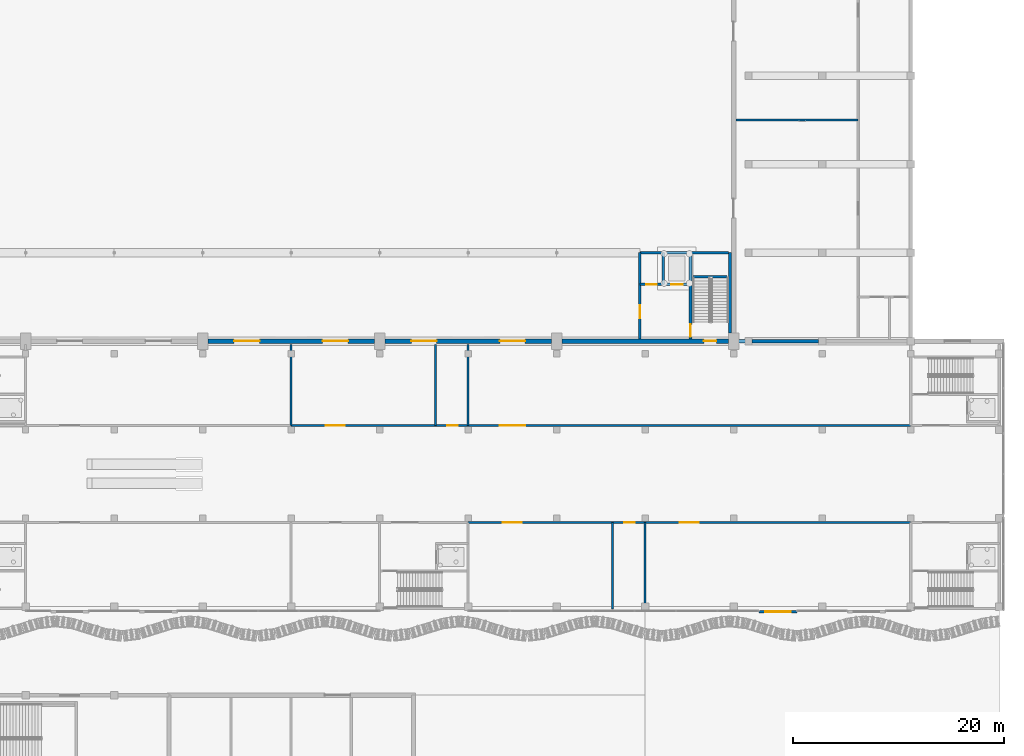
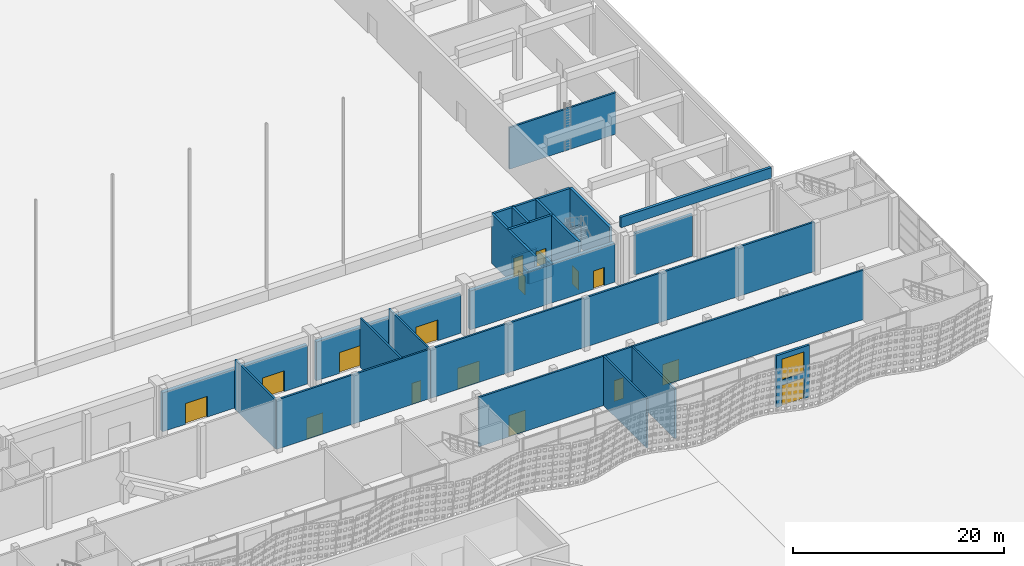
# One storey, part 113 of 210: 27 walls, 16 doors, 1 window, 17 openings.
"""IFC4 building model written with IfcOpenShell, lengths in metres."""

from ifc_helpers import new_model, si_unit, direction, frame, frame_2d, origin, place, context, subcontext, project, spatial, rectangle, extrude, material, layer, layer_set, type_object, element, fill, save


model = new_model("IFC4")

# Units and contexts
model_context = context("Model", 3, precision=1e-05, world=origin(), true_north=direction((0.0, 1.0)))
body_context = subcontext(model_context, "Body", "Model", "MODEL_VIEW")
ifc_project = project(units=[si_unit("LENGTHUNIT", "METRE"), si_unit("AREAUNIT", "SQUARE_METRE"), si_unit("VOLUMEUNIT", "CUBIC_METRE"), si_unit("PLANEANGLEUNIT", "RADIAN"), si_unit("MASSUNIT", "GRAM", prefix="KILO")], contexts=[model_context])

# Site, building, storey
site_placement = place(None, origin())
site = spatial("IfcSite", under=ifc_project, at=site_placement, CompositionType="ELEMENT")
building_placement = place(site_placement, origin())
building = spatial("IfcBuilding", under=site, at=building_placement, Name="Rain Tree Exposition and Congress Centre", CompositionType="ELEMENT")
storey_placement = place(building_placement, origin())
storey = spatial("IfcBuildingStorey", under=building, at=storey_placement, Name="L00", CompositionType="ELEMENT", Elevation=0.0)

# Wall
ifc_material_1 = material(Name="Hollow blockwork partition", Category="masonry")
ifc_layer_1 = layer(ifc_material_1, 0.199951171875)
ifc_layer_set_1 = layer_set([ifc_layer_1], Name="Hollow blockwork partition")
wall_type_1 = type_object("IfcWallType", Name="Concourse blockwork partition 200", PredefinedType="PARTITIONING", material=ifc_layer_set_1)
wall_1_placement = place(storey_placement, frame((235.199951171875, 75.39990234375, 0.0), z_axis=(0.0, 0.0, 1.0), x_axis=(0.0, 1.0, 0.0)))
element("IfcWall", 1, at=wall_1_placement, inside=storey, type_object=wall_type_1, Name="Concourse partition L00", PredefinedType="PARTITIONING", context=body_context, shape_type="SweptSolid", body=[
    extrude(rectangle(XDim=8.2001953125, YDim=0.199951171875, at=frame_2d((4.10009765625, 0.0))), origin(), (0.0, 0.0, 1.0), 5.699951171875),
])

# Wall, openings, doors
wall_2_placement = place(storey_placement, frame((218.39990234375, 83.60009765625, 0.0), z_axis=(0.0, 0.0, 1.0), x_axis=(1.0, 0.0, 0.0)))
wall_2 = element("IfcWall", 2, at=wall_2_placement, inside=storey, type_object=wall_type_1, Name="Concourse room front L00", PredefinedType="PARTITIONING", context=body_context, shape_type="SweptSolid", body=[
    extrude(rectangle(XDim=16.800048828125, YDim=0.199951171875, at=frame_2d((8.39990234375, 0.0))), origin(), (0.0, 0.0, 1.0), 5.699951171875),
])
opening_1_placement = place(wall_2_placement, frame((3.300048828125, 0.0, 0.0)))
opening_1 = element("IfcOpeningElement", 3, at=opening_1_placement, cuts=wall_2, Name="Opening DC029", PredefinedType="OPENING", context=body_context, shape_type="SweptSolid", body=[
    extrude(rectangle(XDim=1.800048828125, YDim=2.39990234375, at=frame_2d((0.89990234375, 1.199951171875))), frame((0.0, 0.10009765625, 0.0), z_axis=(0.0, -1.0, 0.0), x_axis=(1.0, 0.0, 0.0)), (0.0, 0.0, 1.0), 0.199951171875),
])
opening_2_placement = place(wall_2_placement, frame((14.800048828125, 0.0, 0.0)))
opening_2 = element("IfcOpeningElement", 4, at=opening_2_placement, cuts=wall_2, Name="Opening DC030", PredefinedType="OPENING", context=body_context, shape_type="SweptSolid", body=[
    extrude(rectangle(XDim=1.0, YDim=2.39990234375, at=frame_2d((0.5, 1.199951171875))), frame((0.0, 0.10009765625, 0.0), z_axis=(0.0, -1.0, 0.0), x_axis=(1.0, 0.0, 0.0)), (0.0, 0.0, 1.0), 0.199951171875),
])
ifc_material_2 = material(Name="Aluminium framed glazed door", Category="aluminium")
door_type_1 = type_object("IfcDoorType", Name="Concourse double door 1800x2400", OperationType="DOUBLE_DOOR_DOUBLE_SWING", PredefinedType="DOOR", material=ifc_material_2)
door_1_placement = place(opening_1_placement, origin())
door_1 = element("IfcDoor", 5, at=door_1_placement, inside=storey, type_object=door_type_1, Name="Room door DC029", OperationType="DOUBLE_DOOR_DOUBLE_SWING", OverallHeight=2.39990234375, OverallWidth=1.800048828125, PredefinedType="DOOR", context=body_context, shape_type="SweptSolid", body=[
    extrude(rectangle(XDim=1.800048828125, YDim=2.39990234375, at=frame_2d((0.89990234375, 1.199951171875))), frame((0.0, 0.02490234375, 0.0), z_axis=(0.0, -1.0, 0.0), x_axis=(1.0, 0.0, 0.0)), (0.0, 0.0, 1.0), 0.050048828125),
])
fill(opening_1, door_1)
ifc_material_3 = material(Name="Aluminium framed glazed door", Category="aluminium")
door_type_2 = type_object("IfcDoorType", Name="Concourse single door 1000x2400", OperationType="NOTDEFINED", PredefinedType="DOOR", material=ifc_material_3)
door_2_placement = place(opening_2_placement, origin())
door_2 = element("IfcDoor", 6, at=door_2_placement, inside=storey, type_object=door_type_2, Name="Accessible WC door DC030", OperationType="SINGLE_SWING_RIGHT", OverallHeight=2.39990234375, OverallWidth=1.0, PredefinedType="DOOR", context=body_context, shape_type="SweptSolid", body=[
    extrude(rectangle(XDim=1.0, YDim=2.39990234375, at=frame_2d((0.5, 1.199951171875))), frame((0.0, 0.02490234375, 0.0), z_axis=(0.0, -1.0, 0.0), x_axis=(1.0, 0.0, 0.0)), (0.0, 0.0, 1.0), 0.050048828125),
])
fill(opening_2, door_2)

# Wall
wall_3_placement = place(storey_placement, frame((232.10009765625, 75.39990234375, 0.0), z_axis=(0.0, 0.0, 1.0), x_axis=(0.0, 1.0, 0.0)))
element("IfcWall", 7, at=wall_3_placement, inside=storey, type_object=wall_type_1, Name="Accessible WC partition", PredefinedType="PARTITIONING", context=body_context, shape_type="SweptSolid", body=[
    extrude(rectangle(XDim=8.2001953125, YDim=0.199951171875, at=frame_2d((4.10009765625, 0.0))), origin(), (0.0, 0.0, 1.0), 5.699951171875),
])

# Wall, opening, door
wall_4_placement = place(storey_placement, frame((235.199951171875, 83.60009765625, 0.0), z_axis=(0.0, 0.0, 1.0), x_axis=(1.0, 0.0, 0.0)))
wall_4 = element("IfcWall", 8, at=wall_4_placement, inside=storey, type_object=wall_type_1, Name="Concourse room front L00", PredefinedType="PARTITIONING", context=body_context, shape_type="SweptSolid", body=[
    extrude(rectangle(XDim=25.199951171875, YDim=0.199951171875, at=frame_2d((12.60009765625, 0.0))), origin(), (0.0, 0.0, 1.0), 5.699951171875),
])
opening_3_placement = place(wall_4_placement, frame((3.300048828125, 0.0, 0.0)))
opening_3 = element("IfcOpeningElement", 9, at=opening_3_placement, cuts=wall_4, Name="Opening DC031", PredefinedType="OPENING", context=body_context, shape_type="SweptSolid", body=[
    extrude(rectangle(XDim=1.800048828125, YDim=2.39990234375, at=frame_2d((0.89990234375, 1.199951171875))), frame((0.0, 0.10009765625, 0.0), z_axis=(0.0, -1.0, 0.0), x_axis=(1.0, 0.0, 0.0)), (0.0, 0.0, 1.0), 0.199951171875),
])
door_3_placement = place(opening_3_placement, origin())
door_3 = element("IfcDoor", 10, at=door_3_placement, inside=storey, type_object=door_type_1, Name="Room door DC031", OperationType="DOUBLE_DOOR_DOUBLE_SWING", OverallHeight=2.39990234375, OverallWidth=1.800048828125, PredefinedType="DOOR", context=body_context, shape_type="SweptSolid", body=[
    extrude(rectangle(XDim=1.800048828125, YDim=2.39990234375, at=frame_2d((0.89990234375, 1.199951171875))), frame((0.0, 0.02490234375, 0.0), z_axis=(0.0, -1.0, 0.0), x_axis=(1.0, 0.0, 0.0)), (0.0, 0.0, 1.0), 0.050048828125),
])
fill(opening_3, door_3)

# Walls
for number, where, z_axis, x_axis, name in (
    (11, (201.60009765625, 100.5, 0.0), (0.0, 0.0, 1.0), (0.0, -1.0, 0.0), "Concourse partition L00"),
    (12, (218.39990234375, 100.5, 0.0), (0.0, 0.0, 1.0), (0.0, -1.0, 0.0), "Concourse partition L00"),
):
    element("IfcWall", number, at=place(storey_placement, frame(where, z_axis=z_axis, x_axis=x_axis)), inside=storey, type_object=wall_type_1, Name=name, PredefinedType="PARTITIONING", context=body_context, shape_type="SweptSolid", body=[
        extrude(rectangle(XDim=7.699951171875, YDim=0.199951171875, at=frame_2d((3.85009765625, 0.0))), origin(), (0.0, 0.0, 1.0), 5.699951171875),
    ])

# Wall, openings, doors
wall_5_placement = place(storey_placement, frame((201.60009765625, 92.800048828125, 0.0), z_axis=(0.0, 0.0, 1.0), x_axis=(1.0, 0.0, 0.0)))
wall_5 = element("IfcWall", 13, at=wall_5_placement, inside=storey, type_object=wall_type_1, Name="Concourse room front L00", PredefinedType="PARTITIONING", context=body_context, shape_type="SweptSolid", body=[
    extrude(rectangle(XDim=16.7998046875, YDim=0.199951171875, at=frame_2d((8.39990234375, 0.0))), origin(), (0.0, 0.0, 1.0), 5.699951171875),
])
opening_4_placement = place(wall_5_placement, frame((3.300048828125, 0.0, 0.0)))
opening_4 = element("IfcOpeningElement", 14, at=opening_4_placement, cuts=wall_5, Name="Opening DC066", PredefinedType="OPENING", context=body_context, shape_type="SweptSolid", body=[
    extrude(rectangle(XDim=1.800048828125, YDim=2.39990234375, at=frame_2d((0.89990234375, 1.199951171875))), frame((0.0, 0.10009765625, 0.0), z_axis=(0.0, -1.0, 0.0), x_axis=(1.0, 0.0, 0.0)), (0.0, 0.0, 1.0), 0.199951171875),
])
opening_5_placement = place(wall_5_placement, frame((14.800048828125, 0.0, 0.0)))
opening_5 = element("IfcOpeningElement", 15, at=opening_5_placement, cuts=wall_5, Name="Opening DC067", PredefinedType="OPENING", context=body_context, shape_type="SweptSolid", body=[
    extrude(rectangle(XDim=1.0, YDim=2.39990234375, at=frame_2d((0.5, 1.199951171875))), frame((0.0, 0.10009765625, 0.0), z_axis=(0.0, -1.0, 0.0), x_axis=(1.0, 0.0, 0.0)), (0.0, 0.0, 1.0), 0.199951171875),
])
door_4_placement = place(opening_4_placement, origin())
door_4 = element("IfcDoor", 16, at=door_4_placement, inside=storey, type_object=door_type_1, Name="Room door DC066", OperationType="DOUBLE_DOOR_DOUBLE_SWING", OverallHeight=2.39990234375, OverallWidth=1.800048828125, PredefinedType="DOOR", context=body_context, shape_type="SweptSolid", body=[
    extrude(rectangle(XDim=1.800048828125, YDim=2.39990234375, at=frame_2d((0.89990234375, 1.199951171875))), frame((0.0, 0.02490234375, 0.0), z_axis=(0.0, -1.0, 0.0), x_axis=(1.0, 0.0, 0.0)), (0.0, 0.0, 1.0), 0.050048828125),
])
fill(opening_4, door_4)
door_5_placement = place(opening_5_placement, origin())
door_5 = element("IfcDoor", 17, at=door_5_placement, inside=storey, type_object=door_type_2, Name="Accessible WC door DC067", OperationType="SINGLE_SWING_LEFT", OverallHeight=2.39990234375, OverallWidth=1.0, PredefinedType="DOOR", context=body_context, shape_type="SweptSolid", body=[
    extrude(rectangle(XDim=1.0, YDim=2.39990234375, at=frame_2d((0.5, 1.199951171875))), frame((0.0, 0.02490234375, 0.0), z_axis=(0.0, -1.0, 0.0), x_axis=(1.0, 0.0, 0.0)), (0.0, 0.0, 1.0), 0.050048828125),
])
fill(opening_5, door_5)

# Wall
wall_6_placement = place(storey_placement, frame((215.300048828125, 100.5, 0.0), z_axis=(0.0, 0.0, 1.0), x_axis=(0.0, -1.0, 0.0)))
element("IfcWall", 18, at=wall_6_placement, inside=storey, type_object=wall_type_1, Name="Accessible WC partition", PredefinedType="PARTITIONING", context=body_context, shape_type="SweptSolid", body=[
    extrude(rectangle(XDim=7.699951171875, YDim=0.199951171875, at=frame_2d((3.85009765625, 0.0))), origin(), (0.0, 0.0, 1.0), 5.699951171875),
])

# Wall, opening, door
wall_7_placement = place(storey_placement, frame((218.39990234375, 92.800048828125, 0.0), z_axis=(0.0, 0.0, 1.0), x_axis=(1.0, 0.0, 0.0)))
wall_7 = element("IfcWall", 19, at=wall_7_placement, inside=storey, type_object=wall_type_1, Name="Concourse room front L00", PredefinedType="PARTITIONING", context=body_context, shape_type="SweptSolid", body=[
    extrude(rectangle(XDim=42.0, YDim=0.199951171875, at=frame_2d((21.0, 0.0))), origin(), (0.0, 0.0, 1.0), 5.699951171875),
])
opening_6_placement = place(wall_7_placement, frame((3.0, 0.0, 0.0)))
opening_6 = element("IfcOpeningElement", 20, at=opening_6_placement, cuts=wall_7, Name="Opening DC068", PredefinedType="OPENING", context=body_context, shape_type="SweptSolid", body=[
    extrude(rectangle(XDim=2.39990234375, YDim=2.39990234375, at=frame_2d((1.199951171875, 1.199951171875))), frame((0.0, 0.10009765625, 0.0), z_axis=(0.0, -1.0, 0.0), x_axis=(1.0, 0.0, 0.0)), (0.0, 0.0, 1.0), 0.199951171875),
])
ifc_material_4 = material(Name="Aluminium framed glazed door", Category="aluminium")
door_type_3 = type_object("IfcDoorType", Name="Concourse double door 2400x2400", OperationType="DOUBLE_DOOR_DOUBLE_SWING", PredefinedType="DOOR", material=ifc_material_4)
door_6_placement = place(opening_6_placement, origin())
door_6 = element("IfcDoor", 21, at=door_6_placement, inside=storey, type_object=door_type_3, Name="Room door DC068", OperationType="DOUBLE_DOOR_DOUBLE_SWING", OverallHeight=2.39990234375, OverallWidth=2.39990234375, PredefinedType="DOOR", context=body_context, shape_type="SweptSolid", body=[
    extrude(rectangle(XDim=2.39990234375, YDim=2.39990234375, at=frame_2d((1.199951171875, 1.199951171875))), frame((0.0, 0.02490234375, 0.0), z_axis=(0.0, -1.0, 0.0), x_axis=(1.0, 0.0, 0.0)), (0.0, 0.0, 1.0), 0.050048828125),
])
fill(opening_6, door_6)

# Wall, openings, door, window
ifc_material_5 = material(Name="Concrete C40/50", Category="concrete")
ifc_layer_2 = layer(ifc_material_5, 0.25)
ifc_layer_set_2 = layer_set([ifc_layer_2], Name="Concrete C40/50")
wall_type_2 = type_object("IfcWallType", Name="Concourse entrance infill wall 250", PredefinedType="SOLIDWALL", material=ifc_layer_set_2)
wall_8_placement = place(storey_placement, frame((246.0, 75.125, 0.0), z_axis=(0.0, 0.0, 1.0), x_axis=(1.0, 0.0, 0.0)))
wall_8 = element("IfcWall", 22, at=wall_8_placement, inside=storey, type_object=wall_type_2, Name="Concourse entrance infill wall", PredefinedType="SOLIDWALL", context=body_context, shape_type="SweptSolid", body=[
    extrude(rectangle(XDim=3.60009765625, YDim=0.25, at=frame_2d((1.800048828125, 0.0))), origin(), (0.0, 0.0, 1.0), 6.0),
])
opening_7_placement = place(wall_8_placement, frame((0.60009765625, 0.0, 0.0)))
opening_7 = element("IfcOpeningElement", 23, at=opening_7_placement, cuts=wall_8, Name="Opening DC013", PredefinedType="OPENING", context=body_context, shape_type="SweptSolid", body=[
    extrude(rectangle(XDim=2.39990234375, YDim=2.39990234375, at=frame_2d((1.199951171875, 1.199951171875))), frame((0.0, 0.125, 0.0), z_axis=(0.0, -1.0, 0.0), x_axis=(1.0, 0.0, 0.0)), (0.0, 0.0, 1.0), 0.25),
])
opening_8_placement = place(wall_8_placement, frame((0.60009765625, 0.0, 3.0)))
opening_8 = element("IfcOpeningElement", 24, at=opening_8_placement, cuts=wall_8, Name="Opening WC460", PredefinedType="OPENING", context=body_context, shape_type="SweptSolid", body=[
    extrude(rectangle(XDim=2.39990234375, YDim=2.39990234375, at=frame_2d((1.199951171875, 1.199951171875))), frame((0.0, 0.125, 0.0), z_axis=(0.0, -1.0, 0.0), x_axis=(1.0, 0.0, 0.0)), (0.0, 0.0, 1.0), 0.25),
])
door_7_placement = place(opening_7_placement, origin())
door_7 = element("IfcDoor", 25, at=door_7_placement, inside=storey, type_object=door_type_3, Name="Room entrance door DC013", OperationType="DOUBLE_DOOR_DOUBLE_SWING", OverallHeight=2.39990234375, OverallWidth=2.39990234375, PredefinedType="DOOR", context=body_context, shape_type="SweptSolid", body=[
    extrude(rectangle(XDim=2.39990234375, YDim=2.39990234375, at=frame_2d((1.199951171875, 1.199951171875))), frame((0.0, 0.02490234375, 0.0), z_axis=(0.0, -1.0, 0.0), x_axis=(1.0, 0.0, 0.0)), (0.0, 0.0, 1.0), 0.050048828125),
])
fill(opening_7, door_7)
ifc_material_6 = material(Name="Aluminium framed glazing", Category="aluminium")
window_type = type_object("IfcWindowType", Name="Concourse fixed window 2400x2400", PartitioningType="SINGLE_PANEL", PredefinedType="WINDOW", material=ifc_material_6)
window_placement = place(opening_8_placement, origin())
window = element("IfcWindow", 26, at=window_placement, inside=storey, type_object=window_type, Name="Entrance transom window", OverallHeight=2.39990234375, OverallWidth=2.39990234375, PartitioningType="SINGLE_PANEL", PredefinedType="WINDOW", context=body_context, shape_type="SweptSolid", body=[
    extrude(rectangle(XDim=2.39990234375, YDim=2.39990234375, at=frame_2d((1.199951171875, 1.199951171875))), frame((0.0, 0.030029296875, 0.0), z_axis=(0.0, -1.0, 0.0), x_axis=(1.0, 0.0, 0.0)), (0.0, 0.0, 1.0), 0.06005859375),
])
fill(opening_8, window)

# Wall
ifc_material_7 = material(Name="Concrete C40/50", Category="concrete")
ifc_layer_3 = layer(ifc_material_7, 0.300048828125)
ifc_layer_set_3 = layer_set([ifc_layer_3], Name="Concrete C40/50")
wall_type_3 = type_object("IfcWallType", Name="Core gable pier wall 300", PredefinedType="SHEAR", material=ifc_layer_set_3)
wall_9_placement = place(storey_placement, frame((243.25, 101.60009765625, 0.0), z_axis=(0.0, 0.0, 1.0), x_axis=(0.0, 1.0, 0.0)))
element("IfcWall", 27, at=wall_9_placement, inside=storey, type_object=wall_type_3, Name="Gable pier wall 6", PredefinedType="SHEAR", context=body_context, shape_type="SweptSolid", body=[
    extrude(rectangle(XDim=7.599853515625, YDim=0.300048828125, at=frame_2d((3.7998046875, 0.0))), origin(), (0.0, 0.0, 1.0), 5.699951171875),
])

# Wall, opening, door
ifc_material_8 = material(Name="Concrete C40/50", Category="concrete")
ifc_layer_4 = layer(ifc_material_8, 0.25)
ifc_layer_set_4 = layer_set([ifc_layer_4], Name="Concrete C40/50")
wall_type_4 = type_object("IfcWallType", Name="Core wall 250", PredefinedType="SHEAR", material=ifc_layer_set_4)
wall_10_placement = place(storey_placement, frame((239.5, 101.0, 0.0), z_axis=(0.0, 0.0, 1.0), x_axis=(0.0, 1.0, 0.0)))
wall_10 = element("IfcWall", 28, at=wall_10_placement, inside=storey, type_object=wall_type_4, Name="Stair wall 6", PredefinedType="SHEAR", context=body_context, shape_type="SweptSolid", body=[
    extrude(rectangle(XDim=8.199951171875, YDim=0.25, at=frame_2d((4.10009765625, 0.0))), origin(), (0.0, 0.0, 1.0), 5.699951171875),
])
opening_9_placement = place(wall_10_placement, frame((0.199951171875, 0.0, 0.0)))
opening_9 = element("IfcOpeningElement", 29, at=opening_9_placement, cuts=wall_10, Name="Opening DH221", PredefinedType="OPENING", context=body_context, shape_type="SweptSolid", body=[
    extrude(rectangle(XDim=1.199951171875, YDim=2.10009765625, at=frame_2d((0.60009765625, 1.050048828125))), frame((0.0, 0.125, 0.0), z_axis=(0.0, -1.0, 0.0), x_axis=(1.0, 0.0, 0.0)), (0.0, 0.0, 1.0), 0.25),
])
ifc_material_9 = material(Name="Painted steel fire door", Category="steel")
door_type_4 = type_object("IfcDoorType", Name="Stair fire door 1200x2100", OperationType="NOTDEFINED", PredefinedType="DOOR", material=ifc_material_9)
door_8_placement = place(opening_9_placement, origin())
door_8 = element("IfcDoor", 30, at=door_8_placement, inside=storey, type_object=door_type_4, Name="Door DH221", OperationType="SINGLE_SWING_LEFT", OverallHeight=2.10009765625, OverallWidth=1.199951171875, PredefinedType="DOOR", context=body_context, shape_type="SweptSolid", body=[
    extrude(rectangle(XDim=1.199951171875, YDim=2.10009765625, at=frame_2d((0.60009765625, 1.050048828125))), frame((0.0, 0.02490234375, 0.0), z_axis=(0.0, -1.0, 0.0), x_axis=(1.0, 0.0, 0.0)), (0.0, 0.0, 1.0), 0.050048828125),
])
fill(opening_9, door_8)

# Wall
wall_11_placement = place(storey_placement, frame((243.10009765625, 109.199951171875, 0.0), z_axis=(0.0, 0.0, 1.0), x_axis=(-1.0, 0.0, 0.0)))
element("IfcWall", 31, at=wall_11_placement, inside=storey, type_object=wall_type_4, Name="Core north wall 6", PredefinedType="SHEAR", context=body_context, shape_type="SweptSolid", body=[
    extrude(rectangle(XDim=8.400146484375, YDim=0.25, at=frame_2d((4.2001953125, 0.0))), origin(), (0.0, 0.0, 1.0), 5.699951171875),
])

# Wall, opening, door
wall_12_placement = place(storey_placement, frame((234.699951171875, 101.0, 0.0), z_axis=(0.0, 0.0, 1.0), x_axis=(0.0, 1.0, 0.0)))
wall_12 = element("IfcWall", 32, at=wall_12_placement, inside=storey, type_object=wall_type_4, Name="Core east wall 6", PredefinedType="SHEAR", context=body_context, shape_type="SweptSolid", body=[
    extrude(rectangle(XDim=8.199951171875, YDim=0.25, at=frame_2d((4.10009765625, 0.0))), origin(), (0.0, 0.0, 1.0), 5.699951171875),
])
opening_10_placement = place(wall_12_placement, frame((2.0, 0.0, 0.0)))
opening_10 = element("IfcOpeningElement", 33, at=opening_10_placement, cuts=wall_12, Name="Opening DH222", PredefinedType="OPENING", context=body_context, shape_type="SweptSolid", body=[
    extrude(rectangle(XDim=1.199951171875, YDim=2.10009765625, at=frame_2d((0.60009765625, 1.050048828125))), frame((0.0, 0.125, 0.0), z_axis=(0.0, -1.0, 0.0), x_axis=(1.0, 0.0, 0.0)), (0.0, 0.0, 1.0), 0.25),
])
ifc_material_10 = material(Name="Painted steel fire door", Category="steel")
door_type_5 = type_object("IfcDoorType", Name="Lobby fire door 1200x2100", OperationType="NOTDEFINED", PredefinedType="DOOR", material=ifc_material_10)
door_9_placement = place(opening_10_placement, origin())
door_9 = element("IfcDoor", 34, at=door_9_placement, inside=storey, type_object=door_type_5, Name="Door DH222", OperationType="SINGLE_SWING_LEFT", OverallHeight=2.10009765625, OverallWidth=1.199951171875, PredefinedType="DOOR", context=body_context, shape_type="SweptSolid", body=[
    extrude(rectangle(XDim=1.199951171875, YDim=2.10009765625, at=frame_2d((0.60009765625, 1.050048828125))), frame((0.0, 0.02490234375, 0.0), z_axis=(0.0, -1.0, 0.0), x_axis=(1.0, 0.0, 0.0)), (0.0, 0.0, 1.0), 0.050048828125),
])
fill(opening_10, door_9)

# Wall, openings, doors
wall_13_placement = place(storey_placement, frame((239.5, 106.199951171875, 0.0), z_axis=(0.0, 0.0, 1.0), x_axis=(-1.0, 0.0, 0.0)))
wall_13 = element("IfcWall", 35, at=wall_13_placement, inside=storey, type_object=wall_type_4, Name="Lift lobby wall 6", PredefinedType="SHEAR", context=body_context, shape_type="SweptSolid", body=[
    extrude(rectangle(XDim=4.800048828125, YDim=0.25, at=frame_2d((2.39990234375, 0.0))), origin(), (0.0, 0.0, 1.0), 5.699951171875),
])
opening_11_placement = place(wall_13_placement, frame((0.75, 0.0, 0.0)))
opening_11 = element("IfcOpeningElement", 36, at=opening_11_placement, cuts=wall_13, Name="Opening DH223", PredefinedType="OPENING", context=body_context, shape_type="SweptSolid", body=[
    extrude(rectangle(XDim=1.10009765625, YDim=2.10009765625, at=frame_2d((0.550048828125, 1.050048828125))), frame((0.0, 0.125, 0.0), z_axis=(0.0, -1.0, 0.0), x_axis=(1.0, 0.0, 0.0)), (0.0, 0.0, 1.0), 0.25),
])
opening_12_placement = place(wall_13_placement, frame((3.199951171875, 0.0, 0.0)))
opening_12 = element("IfcOpeningElement", 37, at=opening_12_placement, cuts=wall_13, Name="Opening DH224", PredefinedType="OPENING", context=body_context, shape_type="SweptSolid", body=[
    extrude(rectangle(XDim=1.0, YDim=2.10009765625, at=frame_2d((0.5, 1.050048828125))), frame((0.0, 0.125, 0.0), z_axis=(0.0, -1.0, 0.0), x_axis=(1.0, 0.0, 0.0)), (0.0, 0.0, 1.0), 0.25),
])
ifc_material_11 = material(Name="Stainless steel", Category="steel")
door_type_6 = type_object("IfcDoorType", Name="Lift landing door 1100x2100", OperationType="DOUBLE_DOOR_SLIDING", PredefinedType="DOOR", material=ifc_material_11)
door_10_placement = place(opening_11_placement, origin())
door_10 = element("IfcDoor", 38, at=door_10_placement, inside=storey, type_object=door_type_6, Name="Door DH223", OperationType="DOUBLE_DOOR_SLIDING", OverallHeight=2.10009765625, OverallWidth=1.10009765625, PredefinedType="DOOR", context=body_context, shape_type="SweptSolid", body=[
    extrude(rectangle(XDim=1.10009765625, YDim=2.10009765625, at=frame_2d((0.550048828125, 1.050048828125))), frame((0.0, 0.02490234375, 0.0), z_axis=(0.0, -1.0, 0.0), x_axis=(1.0, 0.0, 0.0)), (0.0, 0.0, 1.0), 0.050048828125),
])
fill(opening_11, door_10)
ifc_material_12 = material(Name="Painted steel door", Category="steel")
door_type_7 = type_object("IfcDoorType", Name="Single leaf door 1000x2100", OperationType="NOTDEFINED", PredefinedType="DOOR", material=ifc_material_12)
door_11_placement = place(opening_12_placement, origin())
door_11 = element("IfcDoor", 39, at=door_11_placement, inside=storey, type_object=door_type_7, Name="Door DH224", OperationType="SINGLE_SWING_RIGHT", OverallHeight=2.10009765625, OverallWidth=1.0, PredefinedType="DOOR", context=body_context, shape_type="SweptSolid", body=[
    extrude(rectangle(XDim=1.0, YDim=2.10009765625, at=frame_2d((0.5, 1.050048828125))), frame((0.0, 0.02490234375, 0.0), z_axis=(0.0, -1.0, 0.0), x_axis=(1.0, 0.0, 0.0)), (0.0, 0.0, 1.0), 0.050048828125),
])
fill(opening_12, door_11)

# Walls
wall_14_placement = place(storey_placement, frame((236.89990234375, 106.199951171875, 0.0), z_axis=(0.0, 0.0, 1.0), x_axis=(0.0, 1.0, 0.0)))
element("IfcWall", 40, at=wall_14_placement, inside=storey, type_object=wall_type_4, Name="Lift shaft wall 6", PredefinedType="SHEAR", context=body_context, shape_type="SweptSolid", body=[
    extrude(rectangle(XDim=3.0, YDim=0.25, at=frame_2d((1.5, 0.0))), origin(), (0.0, 0.0, 1.0), 5.699951171875),
])
wall_15_placement = place(storey_placement, frame((242.949951171875, 106.89990234375, 0.0), z_axis=(0.0, 0.0, 1.0), x_axis=(-1.0, 0.0, 0.0)))
element("IfcWall", 41, at=wall_15_placement, inside=storey, type_object=wall_type_4, Name="Stair landing wall 6", PredefinedType="SHEAR", context=body_context, shape_type="SweptSolid", body=[
    extrude(rectangle(XDim=3.199951171875, YDim=0.25, at=frame_2d((1.60009765625, 0.0))), origin(), (0.0, 0.0, 1.0), 2.800048828125),
])

# Wall, openings, doors
ifc_material_13 = material(Name="Precast concrete C50/60", Category="concrete")
ifc_layer_5 = layer(ifc_material_13, 0.39990234375)
ifc_layer_set_5 = layer_set([ifc_layer_5], Name="Precast concrete C50/60")
wall_type_5 = type_object("IfcWallType", Name="Hall precast wall 400", PredefinedType="STANDARD", material=ifc_layer_set_5)
wall_16_placement = place(storey_placement, frame((193.699951171875, 100.800048828125, 0.0), z_axis=(0.0, 0.0, 1.0), x_axis=(1.0, 0.0, 0.0)))
wall_16 = element("IfcWall", 42, at=wall_16_placement, inside=storey, type_object=wall_type_5, Name="Cladding wall S4", PredefinedType="STANDARD", context=body_context, shape_type="SweptSolid", body=[
    extrude(rectangle(XDim=15.800048828125, YDim=0.39990234375, at=frame_2d((7.89990234375, 0.0))), origin(), (0.0, 0.0, 1.0), 4.5),
])
opening_13_placement = place(wall_16_placement, frame((2.5, 0.0, 0.0)))
opening_13 = element("IfcOpeningElement", 43, at=opening_13_placement, cuts=wall_16, Name="Opening DH141", PredefinedType="OPENING", context=body_context, shape_type="SweptSolid", body=[
    extrude(rectangle(XDim=2.39990234375, YDim=2.39990234375, at=frame_2d((1.199951171875, 1.199951171875))), frame((0.0, 0.199951171875, 0.0), z_axis=(0.0, -1.0, 0.0), x_axis=(1.0, 0.0, 0.0)), (0.0, 0.0, 1.0), 0.39990234375),
])
opening_14_placement = place(wall_16_placement, frame((10.89990234375, 0.0, 0.0)))
opening_14 = element("IfcOpeningElement", 44, at=opening_14_placement, cuts=wall_16, Name="Opening DH142", PredefinedType="OPENING", context=body_context, shape_type="SweptSolid", body=[
    extrude(rectangle(XDim=2.39990234375, YDim=2.39990234375, at=frame_2d((1.199951171875, 1.199951171875))), frame((0.0, 0.199951171875, 0.0), z_axis=(0.0, -1.0, 0.0), x_axis=(1.0, 0.0, 0.0)), (0.0, 0.0, 1.0), 0.39990234375),
])
ifc_material_14 = material(Name="Aluminium and glass", Category="aluminium")
door_type_8 = type_object("IfcDoorType", Name="Double glazed entrance door 2400x2400", OperationType="DOUBLE_DOOR_SINGLE_SWING", PredefinedType="DOOR", material=ifc_material_14)
door_12_placement = place(opening_13_placement, origin())
door_12 = element("IfcDoor", 45, at=door_12_placement, inside=storey, type_object=door_type_8, Name="Door DH141", OperationType="DOUBLE_DOOR_SINGLE_SWING", OverallHeight=2.39990234375, OverallWidth=2.39990234375, PredefinedType="DOOR", context=body_context, shape_type="SweptSolid", body=[
    extrude(rectangle(XDim=2.39990234375, YDim=2.39990234375, at=frame_2d((1.199951171875, 1.199951171875))), frame((0.0, 0.02490234375, 0.0), z_axis=(0.0, -1.0, 0.0), x_axis=(1.0, 0.0, 0.0)), (0.0, 0.0, 1.0), 0.050048828125),
])
fill(opening_13, door_12)
door_13_placement = place(opening_14_placement, origin())
door_13 = element("IfcDoor", 46, at=door_13_placement, inside=storey, type_object=door_type_8, Name="Door DH142", OperationType="DOUBLE_DOOR_SINGLE_SWING", OverallHeight=2.39990234375, OverallWidth=2.39990234375, PredefinedType="DOOR", context=body_context, shape_type="SweptSolid", body=[
    extrude(rectangle(XDim=2.39990234375, YDim=2.39990234375, at=frame_2d((1.199951171875, 1.199951171875))), frame((0.0, 0.02490234375, 0.0), z_axis=(0.0, -1.0, 0.0), x_axis=(1.0, 0.0, 0.0)), (0.0, 0.0, 1.0), 0.050048828125),
])
fill(opening_14, door_13)

wall_17_placement = place(storey_placement, frame((210.5, 100.800048828125, 0.0), z_axis=(0.0, 0.0, 1.0), x_axis=(1.0, 0.0, 0.0)))
wall_17 = element("IfcWall", 47, at=wall_17_placement, inside=storey, type_object=wall_type_5, Name="Cladding wall S5", PredefinedType="STANDARD", context=body_context, shape_type="SweptSolid", body=[
    extrude(rectangle(XDim=15.800048828125, YDim=0.39990234375, at=frame_2d((7.89990234375, 0.0))), origin(), (0.0, 0.0, 1.0), 4.5),
])
opening_15_placement = place(wall_17_placement, frame((2.5, 0.0, 0.0)))
opening_15 = element("IfcOpeningElement", 48, at=opening_15_placement, cuts=wall_17, Name="Opening DH143", PredefinedType="OPENING", context=body_context, shape_type="SweptSolid", body=[
    extrude(rectangle(XDim=2.39990234375, YDim=2.39990234375, at=frame_2d((1.199951171875, 1.199951171875))), frame((0.0, 0.199951171875, 0.0), z_axis=(0.0, -1.0, 0.0), x_axis=(1.0, 0.0, 0.0)), (0.0, 0.0, 1.0), 0.39990234375),
])
opening_16_placement = place(wall_17_placement, frame((10.89990234375, 0.0, 0.0)))
opening_16 = element("IfcOpeningElement", 49, at=opening_16_placement, cuts=wall_17, Name="Opening DH144", PredefinedType="OPENING", context=body_context, shape_type="SweptSolid", body=[
    extrude(rectangle(XDim=2.39990234375, YDim=2.39990234375, at=frame_2d((1.199951171875, 1.199951171875))), frame((0.0, 0.199951171875, 0.0), z_axis=(0.0, -1.0, 0.0), x_axis=(1.0, 0.0, 0.0)), (0.0, 0.0, 1.0), 0.39990234375),
])
door_14_placement = place(opening_15_placement, origin())
door_14 = element("IfcDoor", 50, at=door_14_placement, inside=storey, type_object=door_type_8, Name="Door DH143", OperationType="DOUBLE_DOOR_SINGLE_SWING", OverallHeight=2.39990234375, OverallWidth=2.39990234375, PredefinedType="DOOR", context=body_context, shape_type="SweptSolid", body=[
    extrude(rectangle(XDim=2.39990234375, YDim=2.39990234375, at=frame_2d((1.199951171875, 1.199951171875))), frame((0.0, 0.02490234375, 0.0), z_axis=(0.0, -1.0, 0.0), x_axis=(1.0, 0.0, 0.0)), (0.0, 0.0, 1.0), 0.050048828125),
])
fill(opening_15, door_14)
door_15_placement = place(opening_16_placement, origin())
door_15 = element("IfcDoor", 51, at=door_15_placement, inside=storey, type_object=door_type_8, Name="Door DH144", OperationType="DOUBLE_DOOR_SINGLE_SWING", OverallHeight=2.39990234375, OverallWidth=2.39990234375, PredefinedType="DOOR", context=body_context, shape_type="SweptSolid", body=[
    extrude(rectangle(XDim=2.39990234375, YDim=2.39990234375, at=frame_2d((1.199951171875, 1.199951171875))), frame((0.0, 0.02490234375, 0.0), z_axis=(0.0, -1.0, 0.0), x_axis=(1.0, 0.0, 0.0)), (0.0, 0.0, 1.0), 0.050048828125),
])
fill(opening_16, door_15)

# Wall, opening, door
wall_18_placement = place(storey_placement, frame((227.300048828125, 100.800048828125, 0.0), z_axis=(0.0, 0.0, 1.0), x_axis=(1.0, 0.0, 0.0)))
wall_18 = element("IfcWall", 52, at=wall_18_placement, inside=storey, type_object=wall_type_5, Name="Cladding wall S6", PredefinedType="STANDARD", context=body_context, shape_type="SweptSolid", body=[
    extrude(rectangle(XDim=15.800048828125, YDim=0.39990234375, at=frame_2d((7.89990234375, 0.0))), origin(), (0.0, 0.0, 1.0), 4.5),
])
opening_17_placement = place(wall_18_placement, frame((13.46240234375, 0.0, 0.0)))
opening_17 = element("IfcOpeningElement", 53, at=opening_17_placement, cuts=wall_18, Name="Opening DH145", PredefinedType="OPENING", context=body_context, shape_type="SweptSolid", body=[
    extrude(rectangle(XDim=1.199951171875, YDim=2.10009765625, at=frame_2d((0.60009765625, 1.050048828125))), frame((0.0, 0.199951171875, 0.0), z_axis=(0.0, -1.0, 0.0), x_axis=(1.0, 0.0, 0.0)), (0.0, 0.0, 1.0), 0.39990234375),
])
door_16_placement = place(opening_17_placement, origin())
door_16 = element("IfcDoor", 54, at=door_16_placement, inside=storey, type_object=door_type_4, Name="Door DH145", OperationType="SINGLE_SWING_RIGHT", OverallHeight=2.10009765625, OverallWidth=1.199951171875, PredefinedType="DOOR", context=body_context, shape_type="SweptSolid", body=[
    extrude(rectangle(XDim=1.199951171875, YDim=2.10009765625, at=frame_2d((0.60009765625, 1.050048828125))), frame((0.0, 0.02490234375, 0.0), z_axis=(0.0, -1.0, 0.0), x_axis=(1.0, 0.0, 0.0)), (0.0, 0.0, 1.0), 0.050048828125),
])
fill(opening_17, door_16)

# Walls
ifc_material_15 = material(Name="Concrete C40/50", Category="concrete")
ifc_layer_6 = layer(ifc_material_15, 0.25)
ifc_layer_set_6 = layer_set([ifc_layer_6], Name="Concrete C40/50")
wall_type_6 = type_object("IfcWallType", Name="Lift pit wall 250", PredefinedType="SHEAR", material=ifc_layer_set_6)
for number, where, z_axis, x_axis, name in (
    (55, (239.5, 106.199951171875, -1.39990234375), (0.0, 0.0, 1.0), (0.0, 1.0, 0.0), "Lift pit wall 6.1"),
    (56, (236.89990234375, 106.199951171875, -1.39990234375), (0.0, 0.0, 1.0), (0.0, 1.0, 0.0), "Lift pit wall 6.2"),
):
    element("IfcWall", number, at=place(storey_placement, frame(where, z_axis=z_axis, x_axis=x_axis)), inside=storey, type_object=wall_type_6, Name=name, PredefinedType="SHEAR", context=body_context, shape_type="SweptSolid", body=[
        extrude(rectangle(XDim=3.0, YDim=0.25, at=frame_2d((1.5, 0.0))), origin(), (0.0, 0.0, 1.0), 1.39990234375),
    ])
for number, where, z_axis, x_axis, name in (
    (57, (239.5, 106.199951171875, -1.39990234375), (0.0, 0.0, 1.0), (-1.0, 0.0, 0.0), "Lift pit wall 6.3"),
    (58, (239.5, 109.199951171875, -1.39990234375), (0.0, 0.0, 1.0), (-1.0, 0.0, 0.0), "Lift pit wall 6.4"),
):
    element("IfcWall", number, at=place(storey_placement, frame(where, z_axis=z_axis, x_axis=x_axis)), inside=storey, type_object=wall_type_6, Name=name, PredefinedType="SHEAR", context=body_context, shape_type="SweptSolid", body=[
        extrude(rectangle(XDim=2.60009765625, YDim=0.25, at=frame_2d((1.300048828125, 0.0))), origin(), (0.0, 0.0, 1.0), 1.39990234375),
    ])
ifc_material_16 = material(Name="Precast concrete C50/60", Category="concrete")
ifc_layer_7 = layer(ifc_material_16, 0.300048828125)
ifc_layer_set_7 = layer_set([ifc_layer_7], Name="Precast concrete C50/60")
wall_type_7 = type_object("IfcWallType", Name="Service block precast wall 300", PredefinedType="SOLIDWALL", material=ifc_layer_set_7)
wall_19_placement = place(storey_placement, frame((245.35009765625, 100.800048828125, 0.0), z_axis=(0.0, 0.0, 1.0), x_axis=(1.0, 0.0, 0.0)))
element("IfcWall", 59, at=wall_19_placement, inside=storey, type_object=wall_type_7, Name="Service block south wall 1", PredefinedType="SOLIDWALL", context=body_context, shape_type="SweptSolid", body=[
    extrude(rectangle(XDim=6.2998046875, YDim=0.300048828125, at=frame_2d((3.14990234375, 0.0))), origin(), (0.0, 0.0, 1.0), 4.800048828125),
])
ifc_material_17 = material(Name="Concrete C40/50", Category="concrete")
ifc_layer_8 = layer(ifc_material_17, 0.199951171875)
ifc_layer_set_8 = layer_set([ifc_layer_8], Name="Concrete C40/50")
wall_type_8 = type_object("IfcWallType", Name="Service partition wall 200", PredefinedType="PARTITIONING", material=ifc_layer_set_8)
wall_20_placement = place(storey_placement, frame((243.800048828125, 121.800048828125, 0.0), z_axis=(0.0, 0.0, 1.0), x_axis=(1.0, 0.0, 0.0)))
element("IfcWall", 60, at=wall_20_placement, inside=storey, type_object=wall_type_8, Name="Service room wall", PredefinedType="PARTITIONING", context=body_context, shape_type="SweptSolid", body=[
    extrude(rectangle(XDim=11.599853515625, YDim=0.199951171875, at=frame_2d((5.7998046875, 0.0))), origin(), (0.0, 0.0, 1.0), 4.800048828125),
])
ifc_material_18 = material(Name="Precast concrete C50/60", Category="concrete")
ifc_layer_9 = layer(ifc_material_18, 0.300048828125)
ifc_layer_set_9 = layer_set([ifc_layer_9], Name="Precast concrete C50/60")
wall_type_9 = type_object("IfcWallType", Name="Service roof parapet 300", PredefinedType="PARAPET", material=ifc_layer_set_9)
wall_21_placement = place(storey_placement, frame((243.800048828125, 100.800048828125, 6.0), z_axis=(0.0, 0.0, 1.0), x_axis=(1.0, 0.0, 0.0)))
element("IfcWall", 61, at=wall_21_placement, inside=storey, type_object=wall_type_9, Name="Service roof parapet south", PredefinedType="PARAPET", context=body_context, shape_type="SweptSolid", body=[
    extrude(rectangle(XDim=16.449951171875, YDim=0.300048828125, at=frame_2d((8.22509765625, 0.0))), origin(), (0.0, 0.0, 1.0), 1.199951171875),
])

save(model, "model.ifc")
